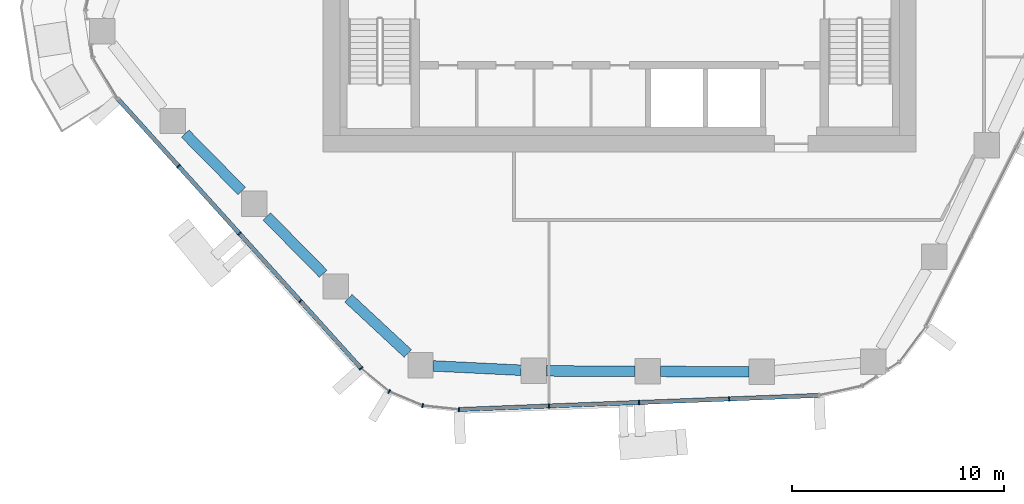
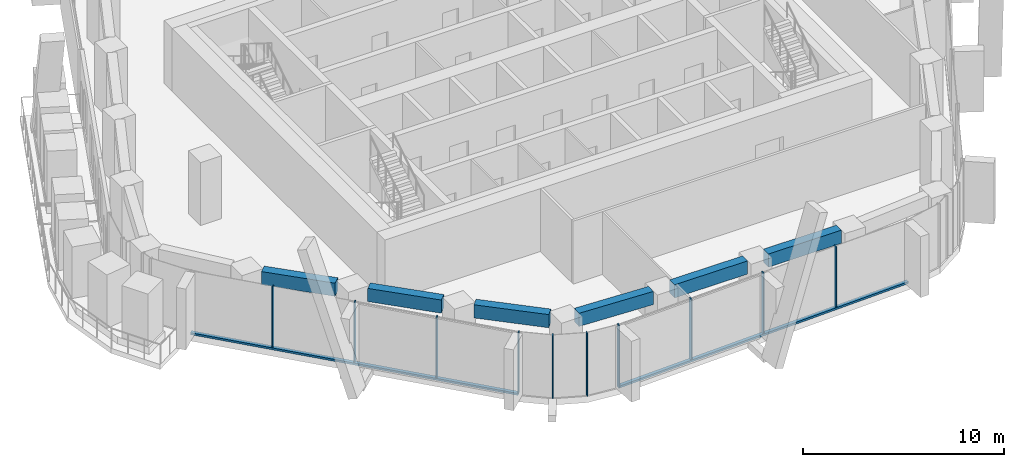
# One storey, part 2 of 19: 12 members, 6 beams, 3 elements without a shape of their own.
"""IFC4 building model written with IfcOpenShell, lengths in metres."""

from ifc_helpers import new_model, si_unit, direction, frame, origin, origin_2d, place, context, subcontext, project, spatial, rectangle, extrude, material, layer, layer_set, material_profile, profile_set, type_object, element, aggregate, save


model = new_model("IFC4")

# Units and contexts
model_context = context("Model", 3, precision=1e-05, world=origin(), true_north=direction((0.0, 1.0)))
body_context = subcontext(model_context, "Body", "Model", "MODEL_VIEW")
ifc_project = project(units=[si_unit("LENGTHUNIT", "METRE"), si_unit("AREAUNIT", "SQUARE_METRE"), si_unit("VOLUMEUNIT", "CUBIC_METRE"), si_unit("PLANEANGLEUNIT", "RADIAN"), si_unit("MASSUNIT", "GRAM", prefix="KILO")], contexts=[model_context])

# Site, building, storey
site_placement = place(None, origin())
site = spatial("IfcSite", under=ifc_project, at=site_placement, CompositionType="ELEMENT")
building_placement = place(site_placement, origin())
building = spatial("IfcBuilding", under=site, at=building_placement, Name="Dongbaek Canopy Tower", CompositionType="ELEMENT")
storey_placement = place(building_placement, frame((0.0, 0.0, 207.199951171875)))
storey = spatial("IfcBuildingStorey", under=building, at=storey_placement, Name="L43", CompositionType="ELEMENT", Elevation=207.199951171875)

# Curtain wall, members
ifc_material_1 = material(Name="Aluminium 6063-T6 pale anodised", Category="aluminium")
ifc_layer = layer(ifc_material_1, 0.199951171875)
ifc_layer_set = layer_set([ifc_layer], Name="CW-1 unitised tower curtain wall")
curtain_wall_type = type_object("IfcCurtainWallType", Name="CW-1 unitised tower curtain wall", PredefinedType="NOTDEFINED", material=ifc_layer_set)
curtain_wall_1_placement = place(storey_placement, origin())
curtain_wall_1 = element("IfcCurtainWall", 1, at=curtain_wall_1_placement, inside=storey, type_object=curtain_wall_type, Name="CW-1 curtain wall F3.1", PredefinedType="NOTDEFINED")
ifc_material_2 = material(Name="Aluminium 6063-T6 pale anodised", Category="aluminium")
ifc_material_profile_1 = material_profile(ifc_material_2, rectangle(XDim=0.199951171875, YDim=0.06005859375, at=origin_2d()), Name="CW-1 mullion 60 x 200")
ifc_profile_set_1 = profile_set([ifc_material_profile_1], Name="Aluminium 6063-T6 pale anodised")
member_type_1 = type_object("IfcMemberType", Name="CW-1 mullion 60 x 200", PredefinedType="MULLION", material=ifc_profile_set_1)
member_1_placement = place(storey_placement, frame((-20.831787109375, -11.656982421875, 0.1201171875), z_axis=(0.0, 0.0, 1.0), x_axis=(-0.742300008663, -0.670067681014, 0.0)))
member_1 = element("IfcMember", 2, at=member_1_placement, type_object=member_type_1, Name="CW-1 mullion F3.1.2", PredefinedType="MULLION", context=body_context, shape_type="SweptSolid", body=[
    extrude(rectangle(XDim=0.199951171875, YDim=0.06005859375, at=origin_2d()), origin(), (0.0, 0.0, 1.0), 3.699951171875),
])
member_2_placement = place(storey_placement, frame((-17.95751953125, -14.8408203125, 0.1201171875), z_axis=(0.0, 0.0, 1.0), x_axis=(-0.742300008663, -0.670067681014, 0.0)))
member_2 = element("IfcMember", 3, at=member_2_placement, type_object=member_type_1, Name="CW-1 mullion F3.1.3", PredefinedType="MULLION", context=body_context, shape_type="SweptSolid", body=[
    extrude(rectangle(XDim=0.199951171875, YDim=0.06005859375, at=origin_2d()), origin(), (0.0, 0.0, 1.0), 3.699951171875),
])
member_3_placement = place(storey_placement, frame((-15.083251953125, -18.02490234375, 0.1201171875), z_axis=(0.0, 0.0, 1.0), x_axis=(-0.742300008663, -0.670067681014, 0.0)))
member_3 = element("IfcMember", 4, at=member_3_placement, type_object=member_type_1, Name="CW-1 mullion F3.1.4", PredefinedType="MULLION", context=body_context, shape_type="SweptSolid", body=[
    extrude(rectangle(XDim=0.199951171875, YDim=0.06005859375, at=origin_2d()), origin(), (0.0, 0.0, 1.0), 3.699951171875),
])
member_4_placement = place(storey_placement, frame((-12.214111328125, -21.203369140625, 0.1201171875), z_axis=(0.0, 0.0, 1.0), x_axis=(-0.742300008663, -0.670067681014, 0.0)))
member_4 = element("IfcMember", 5, at=member_4_placement, type_object=member_type_1, Name="CW-1 mullion F3.1.5", PredefinedType="MULLION", context=body_context, shape_type="SweptSolid", body=[
    extrude(rectangle(XDim=0.199951171875, YDim=0.06005859375, at=origin_2d()), origin(), (0.0, 0.0, 1.0), 3.699951171875),
])

curtain_wall_2_placement = place(storey_placement, origin())
curtain_wall_2 = element("IfcCurtainWall", 6, at=curtain_wall_2_placement, inside=storey, type_object=curtain_wall_type, Name="CW-1 curtain wall K4.1", PredefinedType="NOTDEFINED")
member_5_placement = place(storey_placement, frame((-10.885498046875, -22.301025390625, 0.0), z_axis=(0.0, 0.0, 1.0), x_axis=(-0.518049418717, -0.855350688178, 0.0)))
member_5 = element("IfcMember", 7, at=member_5_placement, type_object=member_type_1, Name="CW-1 mullion K4.1.2", PredefinedType="MULLION", context=body_context, shape_type="SweptSolid", body=[
    extrude(rectangle(XDim=0.199951171875, YDim=0.06005859375, at=origin_2d()), origin(), (0.0, 0.0, 1.0), 3.820068359375),
])
member_6_placement = place(storey_placement, frame((-9.30419921875, -22.967041015625, 0.0), z_axis=(0.0, 0.0, 1.0), x_axis=(-0.249962460962, -0.968255528314, 0.0)))
member_6 = element("IfcMember", 8, at=member_6_placement, type_object=member_type_1, Name="CW-1 mullion K4.1.3", PredefinedType="MULLION", context=body_context, shape_type="SweptSolid", body=[
    extrude(rectangle(XDim=0.199951171875, YDim=0.06005859375, at=origin_2d()), origin(), (0.0, 0.0, 1.0), 3.820068359375),
])
member_7_placement = place(storey_placement, frame((-7.590576171875, -23.150634765625, 0.0), z_axis=(0.0, 0.0, 1.0), x_axis=(-0.106475545413, -0.994315321329, 0.0)))
member_7 = element("IfcMember", 9, at=member_7_placement, type_object=member_type_1, Name="CW-1 mullion K4.1.4", PredefinedType="MULLION", context=body_context, shape_type="SweptSolid", body=[
    extrude(rectangle(XDim=0.199951171875, YDim=0.06005859375, at=origin_2d()), origin(), (0.0, 0.0, 1.0), 3.820068359375),
])
aggregate(curtain_wall_2, [member_5, member_6, member_7])

curtain_wall_3_placement = place(storey_placement, origin())
curtain_wall_3 = element("IfcCurtainWall", 10, at=curtain_wall_3_placement, inside=storey, type_object=curtain_wall_type, Name="CW-1 curtain wall F4.1", PredefinedType="NOTDEFINED")
member_8_placement = place(storey_placement, frame((-3.343505859375, -22.983642578125, 0.1201171875), z_axis=(0.0, 0.0, 1.0), x_axis=(0.039275850271, -0.999228406114, 0.0)))
member_8 = element("IfcMember", 11, at=member_8_placement, type_object=member_type_1, Name="CW-1 mullion F4.1.2", PredefinedType="MULLION", context=body_context, shape_type="SweptSolid", body=[
    extrude(rectangle(XDim=0.199951171875, YDim=0.06005859375, at=origin_2d()), origin(), (0.0, 0.0, 1.0), 3.699951171875),
])
member_9_placement = place(storey_placement, frame((0.91064453125, -22.81640625, 0.1201171875), z_axis=(0.0, 0.0, 1.0), x_axis=(0.039275850271, -0.999228406114, 0.0)))
member_9 = element("IfcMember", 12, at=member_9_placement, type_object=member_type_1, Name="CW-1 mullion F4.1.3", PredefinedType="MULLION", context=body_context, shape_type="SweptSolid", body=[
    extrude(rectangle(XDim=0.199951171875, YDim=0.06005859375, at=origin_2d()), origin(), (0.0, 0.0, 1.0), 3.699951171875),
])
member_10_placement = place(storey_placement, frame((5.1650390625, -22.649169921875, 0.1201171875), z_axis=(0.0, 0.0, 1.0), x_axis=(0.039275850271, -0.999228406114, 0.0)))
member_10 = element("IfcMember", 13, at=member_10_placement, type_object=member_type_1, Name="CW-1 mullion F4.1.4", PredefinedType="MULLION", context=body_context, shape_type="SweptSolid", body=[
    extrude(rectangle(XDim=0.199951171875, YDim=0.06005859375, at=origin_2d()), origin(), (0.0, 0.0, 1.0), 3.699951171875),
])

# Member
ifc_material_3 = material(Name="Aluminium 6063-T6 pale anodised", Category="aluminium")
ifc_material_profile_2 = material_profile(ifc_material_3, rectangle(XDim=0.199951171875, YDim=0.1201171875, at=origin_2d()), Name="CW-1 transom 120 x 200")
ifc_profile_set_2 = profile_set([ifc_material_profile_2], Name="Aluminium 6063-T6 pale anodised")
member_type_2 = type_object("IfcMemberType", Name="CW-1 transom 120 x 200", PredefinedType="USERDEFINED", material=ifc_profile_set_2)
member_11_placement = place(storey_placement, frame((-23.69921875, -8.480224609375, 0.06005859375), z_axis=(0.670068867099, -0.742298937993, 0.0), x_axis=(0.742298937993, 0.670068867099, 0.0)))
member_11 = element("IfcMember", 14, at=member_11_placement, type_object=member_type_2, Name="CW-1 transom F3.1.1", ObjectType="TRANSOM", PredefinedType="USERDEFINED", context=body_context, shape_type="SweptSolid", body=[
    extrude(rectangle(XDim=0.199951171875, YDim=0.1201171875, at=origin_2d()), origin(), (0.0, 0.0, 1.0), 17.14013671875),
])

aggregate(curtain_wall_1, [member_1, member_2, member_3, member_4, member_11])

member_12_placement = place(storey_placement, frame((-7.590576171875, -23.150634765625, 0.06005859375), z_axis=(0.999228476539, 0.039274058537, 0.0), x_axis=(-0.039274058537, 0.999228476539, 0.0)))
member_12 = element("IfcMember", 15, at=member_12_placement, type_object=member_type_2, Name="CW-1 transom F4.1.1", ObjectType="TRANSOM", PredefinedType="USERDEFINED", context=body_context, shape_type="SweptSolid", body=[
    extrude(rectangle(XDim=0.199951171875, YDim=0.1201171875, at=origin_2d()), origin(), (0.0, 0.0, 1.0), 17.01416015625),
])

aggregate(curtain_wall_3, [member_8, member_9, member_10, member_12])

# Beams
ifc_material_4 = material(Name="Concrete C70", Category="concrete")
ifc_material_profile_3 = material_profile(ifc_material_4, rectangle(XDim=0.5, YDim=0.800048828125, at=origin_2d()), Name="RC EDGE BEAM 500x800 C70")
ifc_profile_set_3 = profile_set([ifc_material_profile_3], Name="Concrete C70")
beam_type = type_object("IfcBeamType", Name="RC EDGE BEAM 500x800 C70", PredefinedType="BEAM", material=ifc_profile_set_3)
beam_1_placement = place(storey_placement, frame((6.097900390625, -21.369384765625, 3.420166015625), z_axis=(-0.999989872655, 0.004500509685, 0.0), x_axis=(-0.004500509685, -0.999989872655, 0.0)))
element("IfcBeam", 16, at=beam_1_placement, inside=storey, type_object=beam_type, Name="EDGEBEAM:L43:01", PredefinedType="BEAM", context=body_context, shape_type="SweptSolid", body=[
    extrude(rectangle(XDim=0.5, YDim=0.800048828125, at=origin_2d()), origin(), (0.0, 0.0, 1.0), 4.177001953125),
])
beam_2_placement = place(storey_placement, frame((0.720947265625, -21.34521484375, 3.420166015625), z_axis=(-0.999990129376, 0.004443101423, 0.0), x_axis=(-0.004443101423, -0.999990129376, 0.0)))
element("IfcBeam", 17, at=beam_2_placement, inside=storey, type_object=beam_type, Name="EDGEBEAM:L43:02", PredefinedType="BEAM", context=body_context, shape_type="SweptSolid", body=[
    extrude(rectangle(XDim=0.5, YDim=0.800048828125, at=origin_2d()), origin(), (0.0, 0.0, 1.0), 4.176025390625),
])
beam_3_placement = place(storey_placement, frame((-4.655029296875, -21.29443359375, 3.420166015625), z_axis=(-0.998797460552, 0.04902685789, 0.0), x_axis=(-0.04902685789, -0.998797460552, 0.0)))
element("IfcBeam", 18, at=beam_3_placement, inside=storey, type_object=beam_type, Name="EDGEBEAM:L43:03", PredefinedType="BEAM", context=body_context, shape_type="SweptSolid", body=[
    extrude(rectangle(XDim=0.5, YDim=0.800048828125, at=origin_2d()), origin(), (0.0, 0.0, 1.0), 4.157958984375),
])
beam_4_placement = place(storey_placement, frame((-10.008056640625, -20.5029296875, 3.420166015625), z_axis=(-0.732259249265, 0.681025984722, 0.0), x_axis=(-0.681025984722, -0.732259249265, 0.0)))
element("IfcBeam", 19, at=beam_4_placement, inside=storey, type_object=beam_type, Name="EDGEBEAM:L43:04", PredefinedType="BEAM", context=body_context, shape_type="SweptSolid", body=[
    extrude(rectangle(XDim=0.5, YDim=0.800048828125, at=origin_2d()), origin(), (0.0, 0.0, 1.0), 3.826416015625),
])
beam_5_placement = place(storey_placement, frame((-14.0009765625, -16.739013671875, 3.420166015625), z_axis=(-0.701688575516, 0.71248378437, 0.0), x_axis=(-0.71248378437, -0.701688575516, 0.0)))
element("IfcBeam", 20, at=beam_5_placement, inside=storey, type_object=beam_type, Name="EDGEBEAM:L43:05", PredefinedType="BEAM", context=body_context, shape_type="SweptSolid", body=[
    extrude(rectangle(XDim=0.5, YDim=0.800048828125, at=origin_2d()), origin(), (0.0, 0.0, 1.0), 3.79931640625),
])
beam_6_placement = place(storey_placement, frame((-17.848876953125, -12.83203125, 3.420166015625), z_axis=(-0.701721192392, 0.712451660218, 0.0), x_axis=(-0.712451660218, -0.701721192392, 0.0)))
element("IfcBeam", 21, at=beam_6_placement, inside=storey, type_object=beam_type, Name="EDGEBEAM:L43:06", PredefinedType="BEAM", context=body_context, shape_type="SweptSolid", body=[
    extrude(rectangle(XDim=0.5, YDim=0.800048828125, at=origin_2d()), origin(), (0.0, 0.0, 1.0), 3.799560546875),
])

save(model, "model.ifc")
